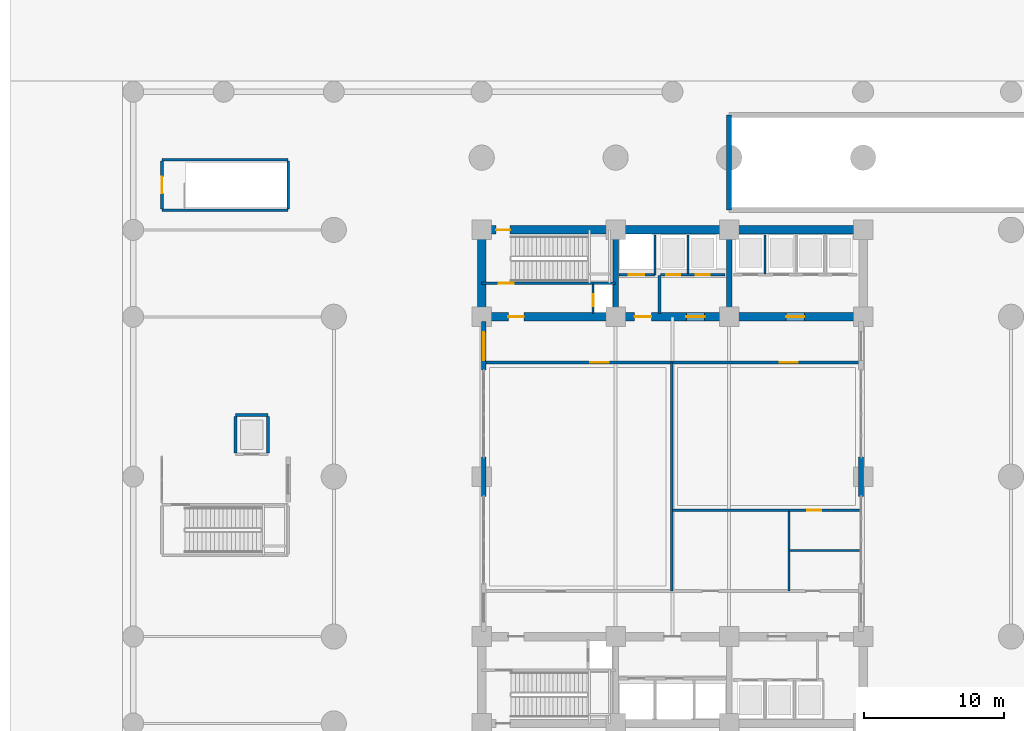
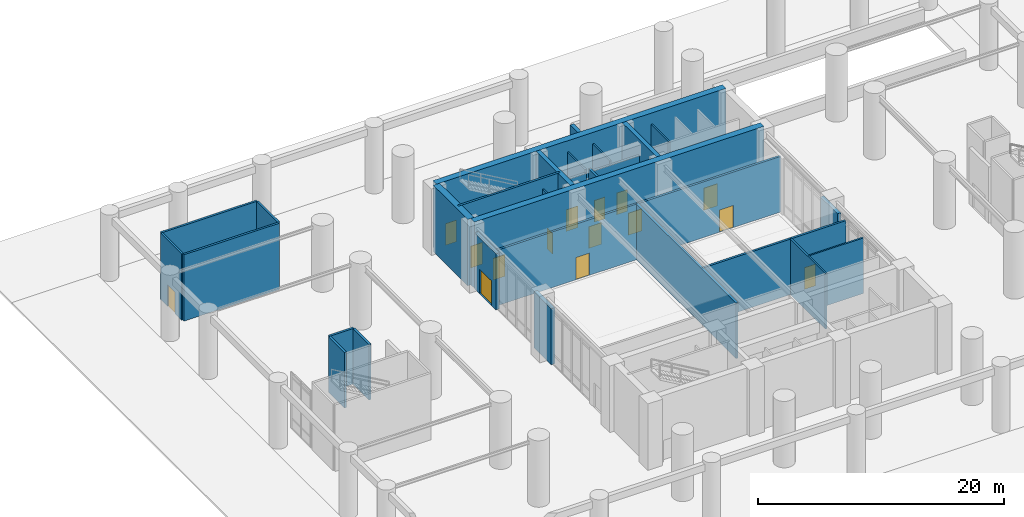
# One storey, part 8 of 16: 29 walls, 15 doors, 15 openings.
"""IFC4 building model written with IfcOpenShell, lengths in metres."""

from ifc_helpers import new_model, si_unit, direction, frame, frame_2d, origin, place, context, subcontext, project, spatial, rectangle, extrude, material, layer, layer_set, type_object, element, fill, save


model = new_model("IFC4")

# Units and contexts
model_context = context("Model", 3, precision=1e-05, world=origin(), true_north=direction((0.0, 1.0)))
body_context = subcontext(model_context, "Body", "Model", "MODEL_VIEW")
ifc_project = project(units=[si_unit("LENGTHUNIT", "METRE"), si_unit("AREAUNIT", "SQUARE_METRE"), si_unit("VOLUMEUNIT", "CUBIC_METRE"), si_unit("PLANEANGLEUNIT", "RADIAN"), si_unit("MASSUNIT", "GRAM", prefix="KILO")], contexts=[model_context])

# Site, building, storey
site_placement = place(None, origin())
site = spatial("IfcSite", under=ifc_project, at=site_placement, CompositionType="ELEMENT")
building_placement = place(site_placement, origin())
building = spatial("IfcBuilding", under=site, at=building_placement, Name="Svetorya Sky Lyceum", CompositionType="ELEMENT")
storey_placement = place(building_placement, origin())
storey = spatial("IfcBuildingStorey", under=building, at=storey_placement, Name="L00", CompositionType="ELEMENT", Elevation=0.0)

# Walls
ifc_material_1 = material(Name="Concrete C40/50", Category="concrete")
ifc_layer_1 = layer(ifc_material_1, 0.39990234375)
ifc_layer_set_1 = layer_set([ifc_layer_1], Name="Concrete C40/50")
wall_type_1 = type_object("IfcWallType", Name="WL-CORE-400", PredefinedType="SHEAR", material=ifc_layer_set_1)
for number, where, z_axis, x_axis, name in (
    (1, (35.14990234375, 39.89990234375, 0.0), (0.0, 0.0, 1.0), (0.0, 1.0, 0.0), "L00 NC Internal Shear Web WEB1"),
    (2, (43.25, 39.89990234375, 0.0), (0.0, 0.0, 1.0), (0.0, 1.0, 0.0), "L00 NC Internal Shear Web WEB2"),
):
    element("IfcWall", number, at=place(storey_placement, frame(where, z_axis=z_axis, x_axis=x_axis)), inside=storey, type_object=wall_type_1, Name=name, PredefinedType="SHEAR", context=body_context, shape_type="SweptSolid", body=[
        extrude(rectangle(XDim=5.60009765625, YDim=0.39990234375, at=frame_2d((2.800048828125, 0.0))), origin(), (0.0, 0.0, 1.0), 6.60009765625),
    ])

# Wall, opening, door
ifc_material_2 = material(Name="Concrete C60/75", Category="concrete")
ifc_layer_2 = layer(ifc_material_2, 0.60009765625)
ifc_layer_set_2 = layer_set([ifc_layer_2], Name="Concrete C60/75")
wall_type_2 = type_object("IfcWallType", Name="WL-CORE-600", PredefinedType="SHEAR", material=ifc_layer_set_2)
wall_1_placement = place(storey_placement, frame((25.60009765625, 45.800048828125, 0.0), z_axis=(0.0, 0.0, 1.0), x_axis=(1.0, 0.0, 0.0)))
wall_1 = element("IfcWall", 3, at=wall_1_placement, inside=storey, type_object=wall_type_2, Name="L00 NC Outer Core Shear Wall", PredefinedType="SHEAR", context=body_context, shape_type="SweptSolid", body=[
    extrude(rectangle(XDim=27.199951171875, YDim=0.60009765625, at=frame_2d((13.60009765625, 0.0))), origin(), (0.0, 0.0, 1.0), 6.60009765625),
])
opening_1_placement = place(wall_1_placement, frame((1.02001953125, 0.0, 0.0)))
opening_1 = element("IfcOpeningElement", 4, at=opening_1_placement, cuts=wall_1, Name="Opening D-APT1", PredefinedType="OPENING", context=body_context, shape_type="SweptSolid", body=[
    extrude(rectangle(XDim=1.0, YDim=2.14990234375, at=frame_2d((0.5, 1.074951171875))), frame((0.0, 0.31005859375, 0.0), z_axis=(0.0, -1.0, 0.0), x_axis=(1.0, 0.0, 0.0)), (0.0, 0.0, 1.0), 0.6201171875),
])
ifc_material_3 = material(Name="Insulated oak-veneered apartment entrance door")
door_type_1 = type_object("IfcDoorType", Name="DR-APT-1000", OperationType="SINGLE_SWING_LEFT", PredefinedType="DOOR", material=ifc_material_3)
door_1_placement = place(opening_1_placement, origin())
door_1 = element("IfcDoor", 5, at=door_1_placement, inside=storey, type_object=door_type_1, Name="Stair ST-N Final Exit Discharge Door", OperationType="SINGLE_SWING_RIGHT", OverallHeight=2.14990234375, OverallWidth=1.0, PredefinedType="DOOR", context=body_context, shape_type="SweptSolid", body=[
    extrude(rectangle(XDim=1.0, YDim=2.14990234375, at=frame_2d((0.5, 1.074951171875))), frame((0.0, 0.02490234375, 0.0), z_axis=(0.0, -1.0, 0.0), x_axis=(1.0, 0.0, 0.0)), (0.0, 0.0, 1.0), 0.050048828125),
])
fill(opening_1, door_1)

# Wall
wall_2_placement = place(storey_placement, frame((25.60009765625, 39.89990234375, 0.0), z_axis=(0.0, 0.0, 1.0), x_axis=(0.0, 1.0, 0.0)))
element("IfcWall", 6, at=wall_2_placement, inside=storey, type_object=wall_type_2, Name="L00 NC West Core Shear Wall", PredefinedType="SHEAR", context=body_context, shape_type="SweptSolid", body=[
    extrude(rectangle(XDim=5.60009765625, YDim=0.60009765625, at=frame_2d((2.800048828125, 0.0))), origin(), (0.0, 0.0, 1.0), 6.60009765625),
])

# Wall, openings, doors
wall_3_placement = place(storey_placement, frame((52.800048828125, 39.60009765625, 0.0), z_axis=(0.0, 0.0, 1.0), x_axis=(-1.0, 0.0, 0.0)))
wall_3 = element("IfcWall", 7, at=wall_3_placement, inside=storey, type_object=wall_type_2, Name="L00 NC Inner Core Shear Wall", PredefinedType="SHEAR", context=body_context, shape_type="SweptSolid", body=[
    extrude(rectangle(XDim=27.199951171875, YDim=0.60009765625, at=frame_2d((13.60009765625, 0.0))), origin(), (0.0, 0.0, 1.0), 6.60009765625),
])
opening_2_placement = place(wall_3_placement, frame((24.199951171875, 0.0, 0.0)))
opening_2 = element("IfcOpeningElement", 8, at=opening_2_placement, cuts=wall_3, Name="Opening D-ST1", PredefinedType="OPENING", context=body_context, shape_type="SweptSolid", body=[
    extrude(rectangle(XDim=1.10009765625, YDim=2.14990234375, at=frame_2d((0.550048828125, 1.074951171875))), frame((0.0, 0.31005859375, 0.0), z_axis=(0.0, -1.0, 0.0), x_axis=(1.0, 0.0, 0.0)), (0.0, 0.0, 1.0), 0.6201171875),
])
opening_3_placement = place(wall_3_placement, frame((15.10009765625, 0.0, 0.0)))
opening_3 = element("IfcOpeningElement", 9, at=opening_3_placement, cuts=wall_3, Name="Opening D-FL1", PredefinedType="OPENING", context=body_context, shape_type="SweptSolid", body=[
    extrude(rectangle(XDim=1.199951171875, YDim=2.14990234375, at=frame_2d((0.60009765625, 1.074951171875))), frame((0.0, 0.31005859375, 0.0), z_axis=(0.0, -1.0, 0.0), x_axis=(1.0, 0.0, 0.0)), (0.0, 0.0, 1.0), 0.6201171875),
])
opening_4_placement = place(wall_3_placement, frame((11.300048828125, 0.0, 0.0)))
opening_4 = element("IfcOpeningElement", 10, at=opening_4_placement, cuts=wall_3, Name="Opening D-LB1", PredefinedType="OPENING", context=body_context, shape_type="SweptSolid", body=[
    extrude(rectangle(XDim=1.300048828125, YDim=2.199951171875, at=frame_2d((0.64990234375, 1.10009765625))), frame((0.0, 0.31005859375, 0.0), z_axis=(0.0, -1.0, 0.0), x_axis=(1.0, 0.0, 0.0)), (0.0, 0.0, 1.0), 0.6201171875),
])
opening_5_placement = place(wall_3_placement, frame((4.199951171875, 0.0, 0.0)))
opening_5 = element("IfcOpeningElement", 11, at=opening_5_placement, cuts=wall_3, Name="Opening D-LB1", PredefinedType="OPENING", context=body_context, shape_type="SweptSolid", body=[
    extrude(rectangle(XDim=1.300048828125, YDim=2.199951171875, at=frame_2d((0.64990234375, 1.10009765625))), frame((0.0, 0.31005859375, 0.0), z_axis=(0.0, -1.0, 0.0), x_axis=(1.0, 0.0, 0.0)), (0.0, 0.0, 1.0), 0.6201171875),
])
ifc_material_4 = material(Name="Powder-coated insulated galvanized stair fire door")
door_type_2 = type_object("IfcDoorType", Name="DR-FIRE-1100", OperationType="SINGLE_SWING_LEFT", PredefinedType="DOOR", material=ifc_material_4)
door_2_placement = place(opening_2_placement, origin())
door_2 = element("IfcDoor", 12, at=door_2_placement, inside=storey, type_object=door_type_2, Name="L00 North Stair Airlock Door", OperationType="SINGLE_SWING_LEFT", OverallHeight=2.14990234375, OverallWidth=1.10009765625, PredefinedType="DOOR", context=body_context, shape_type="SweptSolid", body=[
    extrude(rectangle(XDim=1.10009765625, YDim=2.14990234375, at=frame_2d((0.550048828125, 1.074951171875))), frame((0.0, 0.02490234375, 0.0), z_axis=(0.0, -1.0, 0.0), x_axis=(1.0, 0.0, 0.0)), (0.0, 0.0, 1.0), 0.050048828125),
])
fill(opening_2, door_2)
ifc_material_5 = material(Name="Powder-coated insulated galvanized fire door")
door_type_3 = type_object("IfcDoorType", Name="DR-FIRE-1200", OperationType="SINGLE_SWING_LEFT", PredefinedType="DOOR", material=ifc_material_5)
door_3_placement = place(opening_3_placement, origin())
door_3 = element("IfcDoor", 13, at=door_3_placement, inside=storey, type_object=door_type_3, Name="L00 North Firefighting Lift Lobby Door", OperationType="SINGLE_SWING_RIGHT", OverallHeight=2.14990234375, OverallWidth=1.199951171875, PredefinedType="DOOR", context=body_context, shape_type="SweptSolid", body=[
    extrude(rectangle(XDim=1.199951171875, YDim=2.14990234375, at=frame_2d((0.60009765625, 1.074951171875))), frame((0.0, 0.02490234375, 0.0), z_axis=(0.0, -1.0, 0.0), x_axis=(1.0, 0.0, 0.0)), (0.0, 0.0, 1.0), 0.050048828125),
])
fill(opening_3, door_3)
ifc_material_6 = material(Name="Glazed fire-rated aluminium lobby door", Category="aluminium")
door_type_4 = type_object("IfcDoorType", Name="DR-LOB-1300", OperationType="SINGLE_SWING_LEFT", PredefinedType="DOOR", material=ifc_material_6)
door_4_placement = place(opening_4_placement, origin())
door_4 = element("IfcDoor", 14, at=door_4_placement, inside=storey, type_object=door_type_4, Name="L00 Mid-Rise Lift Lobby West Door", OperationType="SINGLE_SWING_LEFT", OverallHeight=2.199951171875, OverallWidth=1.300048828125, PredefinedType="DOOR", context=body_context, shape_type="SweptSolid", body=[
    extrude(rectangle(XDim=1.300048828125, YDim=2.199951171875, at=frame_2d((0.64990234375, 1.10009765625))), frame((0.0, 0.02490234375, 0.0), z_axis=(0.0, -1.0, 0.0), x_axis=(1.0, 0.0, 0.0)), (0.0, 0.0, 1.0), 0.050048828125),
])
fill(opening_4, door_4)
door_5_placement = place(opening_5_placement, origin())
door_5 = element("IfcDoor", 15, at=door_5_placement, inside=storey, type_object=door_type_4, Name="L00 North Passenger Lift Lobby Door", OperationType="SINGLE_SWING_LEFT", OverallHeight=2.199951171875, OverallWidth=1.300048828125, PredefinedType="DOOR", context=body_context, shape_type="SweptSolid", body=[
    extrude(rectangle(XDim=1.300048828125, YDim=2.199951171875, at=frame_2d((0.64990234375, 1.10009765625))), frame((0.0, 0.02490234375, 0.0), z_axis=(0.0, -1.0, 0.0), x_axis=(1.0, 0.0, 0.0)), (0.0, 0.0, 1.0), 0.050048828125),
])
fill(opening_5, door_5)

# Wall
ifc_material_7 = material(Name="Putilovo limestone rainscreen on autoclaved cellular masonry", Category="masonry")
ifc_layer_3 = layer(ifc_material_7, 0.340087890625)
ifc_layer_set_3 = layer_set([ifc_layer_3], Name="Putilovo limestone rainscreen on autoclaved cellular masonry")
wall_type_3 = type_object("IfcWallType", Name="WL-EXT-340", PredefinedType="SOLIDWALL", material=ifc_layer_set_3)
wall_4_placement = place(storey_placement, frame((25.75, 26.800048828125, 0.0), z_axis=(0.0, 0.0, 1.0), x_axis=(0.0, 1.0, 0.0)))
element("IfcWall", 16, at=wall_4_placement, inside=storey, type_object=wall_type_3, Name="L00 Pilotis Foyer Column Pier W2", PredefinedType="SOLIDWALL", context=body_context, shape_type="SweptSolid", body=[
    extrude(rectangle(XDim=2.800048828125, YDim=0.340087890625, at=frame_2d((1.39990234375, 0.0))), origin(), (0.0, 0.0, 1.0), 5.580078125),
])

# Wall, opening, door
wall_5_placement = place(storey_placement, frame((25.75, 35.800048828125, 0.0), z_axis=(0.0, 0.0, 1.0), x_axis=(0.0, 1.0, 0.0)))
wall_5 = element("IfcWall", 17, at=wall_5_placement, inside=storey, type_object=wall_type_3, Name="L00 Pilotis Foyer Pier W3", PredefinedType="SOLIDWALL", context=body_context, shape_type="SweptSolid", body=[
    extrude(rectangle(XDim=3.449951171875, YDim=0.340087890625, at=frame_2d((1.72509765625, 0.0))), origin(), (0.0, 0.0, 1.0), 5.580078125),
])
opening_6_placement = place(wall_5_placement, frame((0.699951171875, 0.0, 0.0)))
opening_6 = element("IfcOpeningElement", 18, at=opening_6_placement, cuts=wall_5, Name="Opening D-E1", PredefinedType="OPENING", context=body_context, shape_type="SweptSolid", body=[
    extrude(rectangle(XDim=2.0, YDim=2.449951171875, at=frame_2d((1.0, 1.22509765625))), frame((0.0, 0.179931640625, 0.0), z_axis=(0.0, -1.0, 0.0), x_axis=(1.0, 0.0, 0.0)), (0.0, 0.0, 1.0), 0.360107421875),
])
ifc_material_8 = material(Name="Thermally broken glazed bronze-anodized aluminium", Category="aluminium")
door_type_5 = type_object("IfcDoorType", Name="DR-ENT-2000", OperationType="DOUBLE_DOOR_SINGLE_SWING", PredefinedType="DOOR", material=ifc_material_8)
door_6_placement = place(opening_6_placement, origin())
door_6 = element("IfcDoor", 19, at=door_6_placement, inside=storey, type_object=door_type_5, Name="L00 North Foyer Exit W", OperationType="DOUBLE_DOOR_SINGLE_SWING", OverallHeight=2.449951171875, OverallWidth=2.0, PredefinedType="DOOR", context=body_context, shape_type="SweptSolid", body=[
    extrude(rectangle(XDim=2.0, YDim=2.449951171875, at=frame_2d((1.0, 1.22509765625))), frame((0.0, 0.02490234375, 0.0), z_axis=(0.0, -1.0, 0.0), x_axis=(1.0, 0.0, 0.0)), (0.0, 0.0, 1.0), 0.050048828125),
])
fill(opening_6, door_6)

# Walls
wall_6_placement = place(storey_placement, frame((52.64990234375, 26.800048828125, 0.0), z_axis=(0.0, 0.0, 1.0), x_axis=(0.0, 1.0, 0.0)))
element("IfcWall", 20, at=wall_6_placement, inside=storey, type_object=wall_type_3, Name="L00 Pilotis Foyer Column Pier E2", PredefinedType="SOLIDWALL", context=body_context, shape_type="SweptSolid", body=[
    extrude(rectangle(XDim=2.800048828125, YDim=0.340087890625, at=frame_2d((1.39990234375, 0.0))), origin(), (0.0, 0.0, 1.0), 5.580078125),
])
ifc_layer_4 = layer(ifc_material_1, 0.35009765625)
ifc_layer_set_4 = layer_set([ifc_layer_4], Name="Concrete C40/50")
wall_type_4 = type_object("IfcWallType", Name="WL-KERB-350", PredefinedType="PARAPET", material=ifc_layer_set_4)
wall_7_placement = place(storey_placement, frame((43.219970703125, 53.97998046875, 0.0), z_axis=(0.0, 0.0, 1.0), x_axis=(0.0, -1.0, 0.0)))
element("IfcWall", 21, at=wall_7_placement, inside=storey, type_object=wall_type_4, Name="L00 Vehicle Ramp Protection Wall W", PredefinedType="PARAPET", context=body_context, shape_type="SweptSolid", body=[
    extrude(rectangle(XDim=6.760009765625, YDim=0.35009765625, at=frame_2d((3.3798828125, 0.0))), origin(), (0.0, 0.0, 1.0), 1.25),
])

# Wall, opening, door
ifc_material_9 = material(Name="Autoclaved cellular masonry blockwork with acoustic render", Category="masonry")
ifc_layer_5 = layer(ifc_material_9, 0.14990234375)
ifc_layer_set_5 = layer_set([ifc_layer_5], Name="Autoclaved cellular masonry blockwork with acoustic render")
wall_type_5 = type_object("IfcWallType", Name="WL-PART-150", PredefinedType="PARTITIONING", material=ifc_layer_set_5)
wall_8_placement = place(storey_placement, frame((33.550048828125, 39.820068359375, 0.0), z_axis=(0.0, 0.0, 1.0), x_axis=(0.0, 1.0, 0.0)))
wall_8 = element("IfcWall", 22, at=wall_8_placement, inside=storey, type_object=wall_type_5, Name="L00 Interior Partition NC-RSRW", PredefinedType="PARTITIONING", context=body_context, shape_type="SweptSolid", body=[
    extrude(rectangle(XDim=2.1298828125, YDim=0.14990234375, at=frame_2d((1.06494140625, 0.0))), origin(), (0.0, 0.0, 1.0), 5.52001953125),
])
opening_7_placement = place(wall_8_placement, frame((0.550048828125, 0.0, 0.0)))
opening_7 = element("IfcOpeningElement", 23, at=opening_7_placement, cuts=wall_8, Name="Opening D-SH1", PredefinedType="OPENING", context=body_context, shape_type="SweptSolid", body=[
    extrude(rectangle(XDim=0.85009765625, YDim=2.050048828125, at=frame_2d((0.425048828125, 1.02490234375))), frame((0.0, 0.0849609375, 0.0), z_axis=(0.0, -1.0, 0.0), x_axis=(1.0, 0.0, 0.0)), (0.0, 0.0, 1.0), 0.169921875),
])
ifc_material_10 = material(Name="Insulated galvanized riser inspection fire door")
door_type_6 = type_object("IfcDoorType", Name="DR-SHFT-850", OperationType="SINGLE_SWING_LEFT", PredefinedType="TRAPDOOR", material=ifc_material_10)
door_7_placement = place(opening_7_placement, origin())
door_7 = element("IfcDoor", 24, at=door_7_placement, inside=storey, type_object=door_type_6, Name="L00 North Riser Access Door", OperationType="SINGLE_SWING_LEFT", OverallHeight=2.050048828125, OverallWidth=0.85009765625, PredefinedType="TRAPDOOR", context=body_context, shape_type="SweptSolid", body=[
    extrude(rectangle(XDim=0.85009765625, YDim=2.050048828125, at=frame_2d((0.425048828125, 1.02490234375))), frame((0.0, 0.02490234375, 0.0), z_axis=(0.0, -1.0, 0.0), x_axis=(1.0, 0.0, 0.0)), (0.0, 0.0, 1.0), 0.050048828125),
])
fill(opening_7, door_7)

# Walls
wall_9_placement = place(storey_placement, frame((37.949951171875, 42.60009765625, 0.0), z_axis=(0.0, 0.0, 1.0), x_axis=(0.0, 1.0, 0.0)))
element("IfcWall", 25, at=wall_9_placement, inside=storey, type_object=wall_type_5, Name="L00 Interior Partition NC-FL1SIDE", PredefinedType="PARTITIONING", context=body_context, shape_type="SweptSolid", body=[
    extrude(rectangle(XDim=2.849853515625, YDim=0.14990234375, at=frame_2d((1.4248046875, 0.0))), origin(), (0.0, 0.0, 1.0), 5.52001953125),
])
for number, where, z_axis, x_axis, name in (
    (26, (40.300048828125, 42.64990234375, 0.0), (0.0, 0.0, 1.0), (0.0, 1.0, 0.0), "L00 Interior Partition NC-PM-D1"),
    (27, (45.800048828125, 42.64990234375, 0.0), (0.0, 0.0, 1.0), (0.0, 1.0, 0.0), "L00 Interior Partition NC-PM3-D"),
):
    element("IfcWall", number, at=place(storey_placement, frame(where, z_axis=z_axis, x_axis=x_axis)), inside=storey, type_object=wall_type_5, Name=name, PredefinedType="PARTITIONING", context=body_context, shape_type="SweptSolid", body=[
        extrude(rectangle(XDim=2.800048828125, YDim=0.14990234375, at=frame_2d((1.39990234375, 0.0))), origin(), (0.0, 0.0, 1.0), 5.52001953125),
    ])
wall_10_placement = place(storey_placement, frame((47.5, 20.050048828125, 0.0), z_axis=(0.0, 0.0, 1.0), x_axis=(0.0, 1.0, 0.0)))
element("IfcWall", 28, at=wall_10_placement, inside=storey, type_object=wall_type_5, Name="L00 Interior Partition L00-FCP-E", PredefinedType="PARTITIONING", context=body_context, shape_type="SweptSolid", body=[
    extrude(rectangle(XDim=5.699951171875, YDim=0.14990234375, at=frame_2d((2.85009765625, 0.0))), origin(), (0.0, 0.0, 1.0), 5.52001953125),
])
wall_11_placement = place(storey_placement, frame((47.550048828125, 22.949951171875, 0.0), z_axis=(0.0, 0.0, 1.0), x_axis=(1.0, 0.0, 0.0)))
element("IfcWall", 29, at=wall_11_placement, inside=storey, type_object=wall_type_5, Name="L00 Interior Partition L00-AWC-N", PredefinedType="PARTITIONING", context=body_context, shape_type="SweptSolid", body=[
    extrude(rectangle(XDim=5.099853515625, YDim=0.14990234375, at=frame_2d((2.5498046875, 0.0))), origin(), (0.0, 0.0, 1.0), 5.52001953125),
])

# Wall, opening, door
ifc_material_11 = material(Name="Autoclaved cellular masonry blockwork with gypsum plaster", Category="masonry")
ifc_layer_6 = layer(ifc_material_11, 0.199951171875)
ifc_layer_set_6 = layer_set([ifc_layer_6], Name="Autoclaved cellular masonry blockwork with gypsum plaster")
wall_type_6 = type_object("IfcWallType", Name="WL-PART-200", PredefinedType="PARTITIONING", material=ifc_layer_set_6)
wall_12_placement = place(storey_placement, frame((37.949951171875, 42.60009765625, 0.0), z_axis=(0.0, 0.0, 1.0), x_axis=(-1.0, 0.0, 0.0)))
wall_12 = element("IfcWall", 30, at=wall_12_placement, inside=storey, type_object=wall_type_6, Name="L00 Interior Partition NC-FL1W", PredefinedType="PARTITIONING", context=body_context, shape_type="SweptSolid", body=[
    extrude(rectangle(XDim=2.550048828125, YDim=0.199951171875, at=frame_2d((1.27490234375, 0.0))), origin(), (0.0, 0.0, 1.0), 5.179931640625),
])
opening_8_placement = place(wall_12_placement, frame((0.75, 0.0, 0.0)))
opening_8 = element("IfcOpeningElement", 31, at=opening_8_placement, cuts=wall_12, Name="Opening LD-FL", PredefinedType="OPENING", context=body_context, shape_type="SweptSolid", body=[
    extrude(rectangle(XDim=1.10009765625, YDim=2.14990234375, at=frame_2d((0.550048828125, 1.074951171875))), frame((0.0, 0.10986328125, 0.0), z_axis=(0.0, -1.0, 0.0), x_axis=(1.0, 0.0, 0.0)), (0.0, 0.0, 1.0), 0.219970703125),
])
ifc_material_12 = material(Name="Fire-rated stainless AISI 304 firefighting lift landing door")
door_type_7 = type_object("IfcDoorType", Name="DR-LIFT-1100", OperationType="SLIDING_TO_LEFT", PredefinedType="DOOR", material=ifc_material_12)
door_8_placement = place(opening_8_placement, origin())
door_8 = element("IfcDoor", 32, at=door_8_placement, inside=storey, type_object=door_type_7, Name="L00 Firefighting Lift FL1 Landing Door", OperationType="SLIDING_TO_LEFT", OverallHeight=2.14990234375, OverallWidth=1.10009765625, PredefinedType="DOOR", context=body_context, shape_type="SweptSolid", body=[
    extrude(rectangle(XDim=1.10009765625, YDim=2.14990234375, at=frame_2d((0.550048828125, 1.074951171875))), frame((0.0, 0.02490234375, 0.0), z_axis=(0.0, -1.0, 0.0), x_axis=(1.0, 0.0, 0.0)), (0.0, 0.0, 1.0), 0.050048828125),
])
fill(opening_8, door_8)

# Wall
wall_13_placement = place(storey_placement, frame((38.280029296875, 39.820068359375, 0.0), z_axis=(0.0, 0.0, 1.0), x_axis=(0.0, 1.0, 0.0)))
element("IfcWall", 33, at=wall_13_placement, inside=storey, type_object=wall_type_6, Name="L00 Interior Partition NC-FFLDIV", PredefinedType="PARTITIONING", context=body_context, shape_type="SweptSolid", body=[
    extrude(rectangle(XDim=2.72998046875, YDim=0.199951171875, at=frame_2d((1.364990234375, 0.0))), origin(), (0.0, 0.0, 1.0), 5.52001953125),
])

# Wall, openings, doors
wall_14_placement = place(storey_placement, frame((42.949951171875, 42.60009765625, 0.0), z_axis=(0.0, 0.0, 1.0), x_axis=(-1.0, 0.0, 0.0)))
wall_14 = element("IfcWall", 34, at=wall_14_placement, inside=storey, type_object=wall_type_6, Name="L00 Interior Partition NC-PM12W", PredefinedType="PARTITIONING", context=body_context, shape_type="SweptSolid", body=[
    extrude(rectangle(XDim=4.599853515625, YDim=0.199951171875, at=frame_2d((2.2998046875, 0.0))), origin(), (0.0, 0.0, 1.0), 5.179931640625),
])
opening_9_placement = place(wall_14_placement, frame((3.199951171875, 0.0, 0.0)))
opening_9 = element("IfcOpeningElement", 35, at=opening_9_placement, cuts=wall_14, Name="Opening LD-P1", PredefinedType="OPENING", context=body_context, shape_type="SweptSolid", body=[
    extrude(rectangle(XDim=1.0, YDim=2.14990234375, at=frame_2d((0.5, 1.074951171875))), frame((0.0, 0.10986328125, 0.0), z_axis=(0.0, -1.0, 0.0), x_axis=(1.0, 0.0, 0.0)), (0.0, 0.0, 1.0), 0.219970703125),
])
opening_10_placement = place(wall_14_placement, frame((1.10009765625, 0.0, 0.0)))
opening_10 = element("IfcOpeningElement", 36, at=opening_10_placement, cuts=wall_14, Name="Opening LD-P1", PredefinedType="OPENING", context=body_context, shape_type="SweptSolid", body=[
    extrude(rectangle(XDim=1.0, YDim=2.14990234375, at=frame_2d((0.5, 1.074951171875))), frame((0.0, 0.10986328125, 0.0), z_axis=(0.0, -1.0, 0.0), x_axis=(1.0, 0.0, 0.0)), (0.0, 0.0, 1.0), 0.219970703125),
])
ifc_material_13 = material(Name="Champagne-anodized stainless passenger lift landing door")
door_type_8 = type_object("IfcDoorType", Name="DR-LIFT-1000", OperationType="SLIDING_TO_LEFT", PredefinedType="DOOR", material=ifc_material_13)
door_9_placement = place(opening_9_placement, origin())
door_9 = element("IfcDoor", 37, at=door_9_placement, inside=storey, type_object=door_type_8, Name="L00 Passenger Lift PM1 Landing Door", OperationType="SLIDING_TO_LEFT", OverallHeight=2.14990234375, OverallWidth=1.0, PredefinedType="DOOR", context=body_context, shape_type="SweptSolid", body=[
    extrude(rectangle(XDim=1.0, YDim=2.14990234375, at=frame_2d((0.5, 1.074951171875))), frame((0.0, 0.02490234375, 0.0), z_axis=(0.0, -1.0, 0.0), x_axis=(1.0, 0.0, 0.0)), (0.0, 0.0, 1.0), 0.050048828125),
])
fill(opening_9, door_9)
door_10_placement = place(opening_10_placement, origin())
door_10 = element("IfcDoor", 38, at=door_10_placement, inside=storey, type_object=door_type_8, Name="L00 Passenger Lift PM2 Landing Door", OperationType="SLIDING_TO_LEFT", OverallHeight=2.14990234375, OverallWidth=1.0, PredefinedType="DOOR", context=body_context, shape_type="SweptSolid", body=[
    extrude(rectangle(XDim=1.0, YDim=2.14990234375, at=frame_2d((0.5, 1.074951171875))), frame((0.0, 0.02490234375, 0.0), z_axis=(0.0, -1.0, 0.0), x_axis=(1.0, 0.0, 0.0)), (0.0, 0.0, 1.0), 0.050048828125),
])
fill(opening_10, door_10)

# Walls
wall_15_placement = place(storey_placement, frame((8.050048828125, 32.60009765625, 0.0), z_axis=(0.0, 0.0, 1.0), x_axis=(1.0, 0.0, 0.0)))
element("IfcWall", 39, at=wall_15_placement, inside=storey, type_object=wall_type_6, Name="L00 Interior Partition SHL-N-SCHL1", PredefinedType="PARTITIONING", context=body_context, shape_type="SweptSolid", body=[
    extrude(rectangle(XDim=2.300048828125, YDim=0.199951171875, at=frame_2d((1.14990234375, 0.0))), origin(), (0.0, 0.0, 1.0), 5.52001953125),
])
for number, where, z_axis, x_axis, name in (
    (40, (8.050048828125, 29.89990234375, 0.0), (0.0, 0.0, 1.0), (0.0, 1.0, 0.0), "L00 Interior Partition SHL-W-SCHL1"),
    (41, (10.35009765625, 29.89990234375, 0.0), (0.0, 0.0, 1.0), (0.0, 1.0, 0.0), "L00 Interior Partition SHL-E-SCHL1"),
):
    element("IfcWall", number, at=place(storey_placement, frame(where, z_axis=z_axis, x_axis=x_axis)), inside=storey, type_object=wall_type_6, Name=name, PredefinedType="PARTITIONING", context=body_context, shape_type="SweptSolid", body=[
        extrude(rectangle(XDim=2.60009765625, YDim=0.199951171875, at=frame_2d((1.300048828125, 0.0))), origin(), (0.0, 0.0, 1.0), 5.52001953125),
    ])

# Wall, openings, doors
wall_16_placement = place(storey_placement, frame((52.64990234375, 36.35009765625, 0.0), z_axis=(0.0, 0.0, 1.0), x_axis=(-1.0, 0.0, 0.0)))
wall_16 = element("IfcWall", 42, at=wall_16_placement, inside=storey, type_object=wall_type_6, Name="L00 Interior Partition L00-CN-W", PredefinedType="PARTITIONING", context=body_context, shape_type="SweptSolid", body=[
    extrude(rectangle(XDim=26.89990234375, YDim=0.199951171875, at=frame_2d((13.449951171875, 0.0))), origin(), (0.0, 0.0, 1.0), 5.52001953125),
])
opening_11_placement = place(wall_16_placement, frame((4.5, 0.0, 0.0)))
opening_11 = element("IfcOpeningElement", 43, at=opening_11_placement, cuts=wall_16, Name="Opening D-LB1", PredefinedType="OPENING", context=body_context, shape_type="SweptSolid", body=[
    extrude(rectangle(XDim=1.300048828125, YDim=2.199951171875, at=frame_2d((0.64990234375, 1.10009765625))), frame((0.0, 0.10986328125, 0.0), z_axis=(0.0, -1.0, 0.0), x_axis=(1.0, 0.0, 0.0)), (0.0, 0.0, 1.0), 0.219970703125),
])
opening_12_placement = place(wall_16_placement, frame((18.0, 0.0, 0.0)))
opening_12 = element("IfcOpeningElement", 44, at=opening_12_placement, cuts=wall_16, Name="Opening D-LB1", PredefinedType="OPENING", context=body_context, shape_type="SweptSolid", body=[
    extrude(rectangle(XDim=1.300048828125, YDim=2.199951171875, at=frame_2d((0.64990234375, 1.10009765625))), frame((0.0, 0.10986328125, 0.0), z_axis=(0.0, -1.0, 0.0), x_axis=(1.0, 0.0, 0.0)), (0.0, 0.0, 1.0), 0.219970703125),
])
door_11_placement = place(opening_11_placement, origin())
door_11 = element("IfcDoor", 45, at=door_11_placement, inside=storey, type_object=door_type_4, Name="Lyceum Foyer North Door", OperationType="SINGLE_SWING_RIGHT", OverallHeight=2.199951171875, OverallWidth=1.300048828125, PredefinedType="DOOR", context=body_context, shape_type="SweptSolid", body=[
    extrude(rectangle(XDim=1.300048828125, YDim=2.199951171875, at=frame_2d((0.64990234375, 1.10009765625))), frame((0.0, 0.02490234375, 0.0), z_axis=(0.0, -1.0, 0.0), x_axis=(1.0, 0.0, 0.0)), (0.0, 0.0, 1.0), 0.050048828125),
])
fill(opening_11, door_11)
door_12_placement = place(opening_12_placement, origin())
door_12 = element("IfcDoor", 46, at=door_12_placement, inside=storey, type_object=door_type_4, Name="Residential Foyer North Door", OperationType="SINGLE_SWING_LEFT", OverallHeight=2.199951171875, OverallWidth=1.300048828125, PredefinedType="DOOR", context=body_context, shape_type="SweptSolid", body=[
    extrude(rectangle(XDim=1.300048828125, YDim=2.199951171875, at=frame_2d((0.64990234375, 1.10009765625))), frame((0.0, 0.02490234375, 0.0), z_axis=(0.0, -1.0, 0.0), x_axis=(1.0, 0.0, 0.0)), (0.0, 0.0, 1.0), 0.050048828125),
])
fill(opening_12, door_12)

# Wall
wall_17_placement = place(storey_placement, frame((39.14990234375, 20.050048828125, 0.0), z_axis=(0.0, 0.0, 1.0), x_axis=(0.0, 1.0, 0.0)))
element("IfcWall", 47, at=wall_17_placement, inside=storey, type_object=wall_type_6, Name="L00 Interior Partition L00-DIV-NS", PredefinedType="PARTITIONING", context=body_context, shape_type="SweptSolid", body=[
    extrude(rectangle(XDim=16.300048828125, YDim=0.199951171875, at=frame_2d((8.14990234375, 0.0))), origin(), (0.0, 0.0, 1.0), 5.52001953125),
])

# Wall, opening, door
wall_18_placement = place(storey_placement, frame((39.199951171875, 25.800048828125, 0.0), z_axis=(0.0, 0.0, 1.0), x_axis=(1.0, 0.0, 0.0)))
wall_18 = element("IfcWall", 48, at=wall_18_placement, inside=storey, type_object=wall_type_6, Name="L00 Interior Partition L00-FCP-N", PredefinedType="PARTITIONING", context=body_context, shape_type="SweptSolid", body=[
    extrude(rectangle(XDim=13.449951171875, YDim=0.199951171875, at=frame_2d((6.72509765625, 0.0))), origin(), (0.0, 0.0, 1.0), 5.52001953125),
])
opening_13_placement = place(wall_18_placement, frame((9.60009765625, 0.0, 0.0)))
opening_13 = element("IfcOpeningElement", 49, at=opening_13_placement, cuts=wall_18, Name="Opening D-RM2", PredefinedType="OPENING", context=body_context, shape_type="SweptSolid", body=[
    extrude(rectangle(XDim=1.0, YDim=2.14990234375, at=frame_2d((0.5, 1.074951171875))), frame((0.0, 0.10986328125, 0.0), z_axis=(0.0, -1.0, 0.0), x_axis=(1.0, 0.0, 0.0)), (0.0, 0.0, 1.0), 0.219970703125),
])
ifc_material_14 = material(Name="Solid-core oak acoustic room door")
door_type_9 = type_object("IfcDoorType", Name="DR-INT-1000", OperationType="SINGLE_SWING_LEFT", PredefinedType="DOOR", material=ifc_material_14)
door_13_placement = place(opening_13_placement, origin())
door_13 = element("IfcDoor", 50, at=door_13_placement, inside=storey, type_object=door_type_9, Name="Cycle Store Door", OperationType="SINGLE_SWING_LEFT", OverallHeight=2.14990234375, OverallWidth=1.0, PredefinedType="DOOR", context=body_context, shape_type="SweptSolid", body=[
    extrude(rectangle(XDim=1.0, YDim=2.14990234375, at=frame_2d((0.5, 1.074951171875))), frame((0.0, 0.02490234375, 0.0), z_axis=(0.0, -1.0, 0.0), x_axis=(1.0, 0.0, 0.0)), (0.0, 0.0, 1.0), 0.050048828125),
])
fill(opening_13, door_13)

ifc_material_15 = material(Name="Concrete C50/60", Category="concrete")
ifc_layer_7 = layer(ifc_material_15, 0.199951171875)
ifc_layer_set_7 = layer_set([ifc_layer_7], Name="Concrete C50/60")
wall_type_7 = type_object("IfcWallType", Name="WL-SHW-200", PredefinedType="SHEAR", material=ifc_layer_set_7)
wall_19_placement = place(storey_placement, frame((35.14990234375, 42.0, 0.0), z_axis=(0.0, 0.0, 1.0), x_axis=(-1.0, 0.0, 0.0)))
wall_19 = element("IfcWall", 51, at=wall_19_placement, inside=storey, type_object=wall_type_7, Name="L00 Structural Stair Shaft Wall NC-STW", PredefinedType="SHEAR", context=body_context, shape_type="SweptSolid", body=[
    extrude(rectangle(XDim=9.5498046875, YDim=0.199951171875, at=frame_2d((4.77490234375, 0.0))), origin(), (0.0, 0.0, 1.0), 6.60009765625),
])
opening_14_placement = place(wall_19_placement, frame((7.25, 0.0, 0.0)))
opening_14 = element("IfcOpeningElement", 52, at=opening_14_placement, cuts=wall_19, Name="Opening D-ST1", PredefinedType="OPENING", context=body_context, shape_type="SweptSolid", body=[
    extrude(rectangle(XDim=1.10009765625, YDim=2.14990234375, at=frame_2d((0.550048828125, 1.074951171875))), frame((0.0, 0.10986328125, 0.0), z_axis=(0.0, -1.0, 0.0), x_axis=(1.0, 0.0, 0.0)), (0.0, 0.0, 1.0), 0.219970703125),
])
door_14_placement = place(opening_14_placement, origin())
door_14 = element("IfcDoor", 53, at=door_14_placement, inside=storey, type_object=door_type_2, Name="L00 Stair ST-N Vestibule Fire Door", OperationType="SINGLE_SWING_RIGHT", OverallHeight=2.14990234375, OverallWidth=1.10009765625, PredefinedType="DOOR", context=body_context, shape_type="SweptSolid", body=[
    extrude(rectangle(XDim=1.10009765625, YDim=2.14990234375, at=frame_2d((0.550048828125, 1.074951171875))), frame((0.0, 0.02490234375, 0.0), z_axis=(0.0, -1.0, 0.0), x_axis=(1.0, 0.0, 0.0)), (0.0, 0.0, 1.0), 0.050048828125),
])
fill(opening_14, door_14)

# Walls
for number, where, z_axis, x_axis, name in (
    (54, (2.800048828125, 47.199951171875, 0.0), (0.0, 0.0, 1.0), (1.0, 0.0, 0.0), "L00 Structural Stair Shaft Wall STB-S-B1"),
    (55, (11.800048828125, 50.800048828125, 0.0), (0.0, 0.0, 1.0), (-1.0, 0.0, 0.0), "L00 Structural Stair Shaft Wall STB-N-B1"),
):
    element("IfcWall", number, at=place(storey_placement, frame(where, z_axis=z_axis, x_axis=x_axis)), inside=storey, type_object=wall_type_7, Name=name, PredefinedType="SHEAR", context=body_context, shape_type="SweptSolid", body=[
        extrude(rectangle(XDim=9.0, YDim=0.199951171875, at=frame_2d((4.5, 0.0))), origin(), (0.0, 0.0, 1.0), 6.60009765625),
    ])

# Wall, opening, door
wall_20_placement = place(storey_placement, frame((2.800048828125, 47.300048828125, 0.0), z_axis=(0.0, 0.0, 1.0), x_axis=(0.0, 1.0, 0.0)))
wall_20 = element("IfcWall", 56, at=wall_20_placement, inside=storey, type_object=wall_type_7, Name="L00 Structural Stair Shaft Wall STB-W-B1", PredefinedType="SHEAR", context=body_context, shape_type="SweptSolid", body=[
    extrude(rectangle(XDim=3.39990234375, YDim=0.199951171875, at=frame_2d((1.699951171875, 0.0))), origin(), (0.0, 0.0, 1.0), 6.60009765625),
])
opening_15_placement = place(wall_20_placement, frame((1.10009765625, 0.0, 0.0)))
opening_15 = element("IfcOpeningElement", 57, at=opening_15_placement, cuts=wall_20, Name="Opening D-FL1", PredefinedType="OPENING", context=body_context, shape_type="SweptSolid", body=[
    extrude(rectangle(XDim=1.199951171875, YDim=2.14990234375, at=frame_2d((0.60009765625, 1.074951171875))), frame((0.0, 0.10986328125, 0.0), z_axis=(0.0, -1.0, 0.0), x_axis=(1.0, 0.0, 0.0)), (0.0, 0.0, 1.0), 0.219970703125),
])
door_15_placement = place(opening_15_placement, origin())
door_15 = element("IfcDoor", 58, at=door_15_placement, inside=storey, type_object=door_type_3, Name="Basement Stair ST-B1 Grade Exit Door", OperationType="SINGLE_SWING_LEFT", OverallHeight=2.14990234375, OverallWidth=1.199951171875, PredefinedType="DOOR", context=body_context, shape_type="SweptSolid", body=[
    extrude(rectangle(XDim=1.199951171875, YDim=2.14990234375, at=frame_2d((0.60009765625, 1.074951171875))), frame((0.0, 0.02490234375, 0.0), z_axis=(0.0, -1.0, 0.0), x_axis=(1.0, 0.0, 0.0)), (0.0, 0.0, 1.0), 0.050048828125),
])
fill(opening_15, door_15)

# Wall
wall_21_placement = place(storey_placement, frame((11.800048828125, 47.300048828125, 0.0), z_axis=(0.0, 0.0, 1.0), x_axis=(0.0, 1.0, 0.0)))
element("IfcWall", 59, at=wall_21_placement, inside=storey, type_object=wall_type_7, Name="L00 Structural Stair Shaft Wall STB-E-B1", PredefinedType="SHEAR", context=body_context, shape_type="SweptSolid", body=[
    extrude(rectangle(XDim=3.39990234375, YDim=0.199951171875, at=frame_2d((1.699951171875, 0.0))), origin(), (0.0, 0.0, 1.0), 6.60009765625),
])

save(model, "model.ifc")
